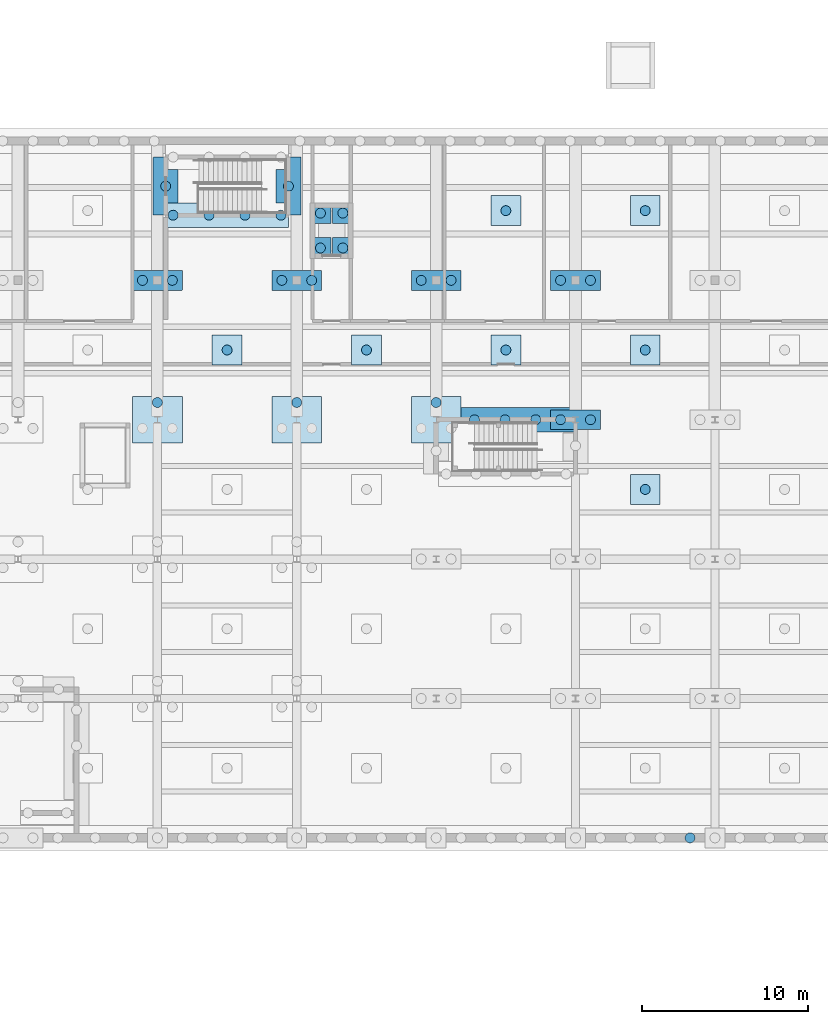
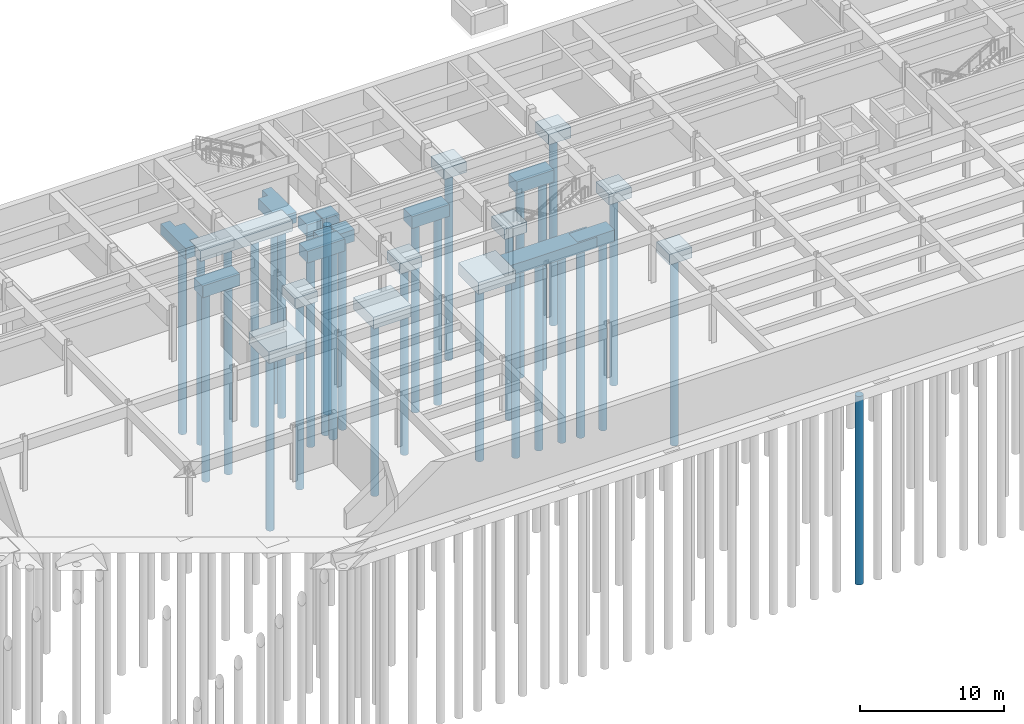
# One storey, part 5 of 33: 34 piles, 23 footings.
"""IFC4 building model written with IfcOpenShell, lengths in metres."""

from ifc_helpers import new_model, si_unit, direction, frame, origin, origin_2d, place, context, subcontext, project, spatial, polyline, circle, outline, extrude, material, layer, layer_set, material_profile, profile_set, type_object, element, save


model = new_model("IFC4")

# Units and contexts
model_context = context("Model", 3, precision=1e-05, world=origin(), true_north=direction((0.0, 1.0)))
body_context = subcontext(model_context, "Body", "Model", "MODEL_VIEW")
ifc_project = project(units=[si_unit("LENGTHUNIT", "METRE"), si_unit("AREAUNIT", "SQUARE_METRE"), si_unit("VOLUMEUNIT", "CUBIC_METRE"), si_unit("PLANEANGLEUNIT", "RADIAN"), si_unit("MASSUNIT", "GRAM", prefix="KILO")], contexts=[model_context])

# Site, building, storey
site_placement = place(None, origin())
site = spatial("IfcSite", under=ifc_project, at=site_placement, CompositionType="ELEMENT")
building_placement = place(site_placement, origin())
building = spatial("IfcBuilding", under=site, at=building_placement, Name="Ljudholm Concert House", CompositionType="ELEMENT")
storey_placement = place(building_placement, frame((0.0, 0.0, -4.60009765625)))
storey = spatial("IfcBuildingStorey", under=building, at=storey_placement, Name="B1", CompositionType="ELEMENT", Elevation=-4.60009765625)

# Piles
ifc_material_1 = material(Name="Concrete 5,000 psi", Category="concrete")
ifc_material_profile = material_profile(ifc_material_1, circle(Radius=0.300048828125, at=origin_2d()), Name="AUGER-CAST PILE D600")
ifc_profile_set = profile_set([ifc_material_profile], Name="Concrete 5,000 psi")
pile_type = type_object("IfcPileType", Name="AUGER-CAST PILE D600", PredefinedType="BORED", material=ifc_profile_set)
for number, where, z_axis, x_axis, name in (
    (1, (37.60009765625, 131.039306640625, -1.89990234375), (0.0, 0.0, -1.0), (1.0, 0.0, 0.0), "Pile D600"),
    (2, (36.699951171875, 138.39990234375, -1.89990234375), (0.0, 0.0, -1.0), (1.0, 0.0, 0.0), "Pile D600"),
    (3, (38.5, 138.39990234375, -1.89990234375), (0.0, 0.0, -1.0), (1.0, 0.0, 0.0), "Pile D600"),
    (4, (46.0, 131.039306640625, -1.89990234375), (0.0, 0.0, -1.0), (1.0, 0.0, 0.0), "Pile D600"),
    (5, (45.10009765625, 138.39990234375, -1.89990234375), (0.0, 0.0, -1.0), (1.0, 0.0, 0.0), "Pile D600"),
    (6, (46.89990234375, 138.39990234375, -1.89990234375), (0.0, 0.0, -1.0), (1.0, 0.0, 0.0), "Pile D600"),
    (7, (54.39990234375, 131.039306640625, -1.89990234375), (0.0, 0.0, -1.0), (1.0, 0.0, 0.0), "Pile D600"),
    (8, (53.5, 138.39990234375, -1.89990234375), (0.0, 0.0, -1.0), (1.0, 0.0, 0.0), "Pile D600"),
    (9, (55.300048828125, 138.39990234375, -1.89990234375), (0.0, 0.0, -1.0), (1.0, 0.0, 0.0), "Pile D600"),
    (10, (61.89990234375, 130.0, -1.89990234375), (0.0, 0.0, -1.0), (1.0, 0.0, 0.0), "Pile D600"),
    (11, (63.699951171875, 130.0, -1.89990234375), (0.0, 0.0, -1.0), (1.0, 0.0, 0.0), "Pile D600"),
    (12, (61.89990234375, 138.39990234375, -1.89990234375), (0.0, 0.0, -1.0), (1.0, 0.0, 0.0), "Pile D600"),
    (13, (63.699951171875, 138.39990234375, -1.89990234375), (0.0, 0.0, -1.0), (1.0, 0.0, 0.0), "Pile D600"),
    (14, (47.425048828125, 140.35009765625, -2.89990234375), (0.0, 0.0, -1.0), (1.0, 0.0, 0.0), "Pile D600"),
    (15, (48.77490234375, 140.35009765625, -2.89990234375), (0.0, 0.0, -1.0), (1.0, 0.0, 0.0), "Pile D600"),
    (16, (47.425048828125, 142.449951171875, -2.89990234375), (0.0, 0.0, -1.0), (1.0, 0.0, 0.0), "Pile D600"),
    (17, (48.77490234375, 142.449951171875, -2.89990234375), (0.0, 0.0, -1.0), (1.0, 0.0, 0.0), "Pile D600"),
    (18, (56.706787109375, 130.0, -1.7998046875), (0.0, 0.0, -1.0), (1.0, 0.0, 0.0), "Pile D600"),
    (19, (58.553466796875, 130.0, -1.7998046875), (0.0, 0.0, -1.0), (1.0, 0.0, 0.0), "Pile D600"),
    (20, (60.39990234375, 130.0, -1.7998046875), (0.0, 0.0, -1.0), (1.0, 0.0, 0.0), "Pile D600"),
    (21, (38.550048828125, 142.324951171875, -1.7998046875), (0.0, 0.0, -1.0), (1.0, 0.0, 0.0), "Pile D600"),
    (22, (40.715087890625, 142.324951171875, -1.7998046875), (0.0, 0.0, -1.0), (1.0, 0.0, 0.0), "Pile D600"),
    (23, (42.8798828125, 142.324951171875, -1.7998046875), (0.0, 0.0, -1.0), (1.0, 0.0, 0.0), "Pile D600"),
    (24, (45.044921875, 142.324951171875, -1.7998046875), (0.0, 0.0, -1.0), (1.0, 0.0, 0.0), "Pile D600"),
    (25, (69.699951171875, 104.800048828125, -1.7998046875), (0.0, 0.0, -1.0), (1.0, 0.0, 0.0), "Pile D600"),
    (26, (45.4951171875, 144.074951171875, -1.7998046875), (0.0, 0.0, -1.0), (1.0, 0.0, 0.0), "Pile D600"),
    (27, (38.10009765625, 144.074951171875, -1.7998046875), (0.0, 0.0, -1.0), (1.0, 0.0, 0.0), "Pile D600"),
    (28, (67.0, 125.800048828125, -1.7998046875), (0.0, 0.0, -1.0), (1.0, 0.0, 0.0), "Pile D600"),
    (29, (41.800048828125, 134.199951171875, -1.7998046875), (0.0, 0.0, -1.0), (1.0, 0.0, 0.0), "Pile D600"),
    (30, (50.199951171875, 134.199951171875, -1.7998046875), (0.0, 0.0, -1.0), (1.0, 0.0, 0.0), "Pile D600"),
    (31, (58.60009765625, 134.199951171875, -1.7998046875), (0.0, 0.0, -1.0), (1.0, 0.0, 0.0), "Pile D600"),
    (32, (67.0, 134.199951171875, -1.7998046875), (0.0, 0.0, -1.0), (1.0, 0.0, 0.0), "Pile D600"),
    (33, (58.60009765625, 142.60009765625, -1.7998046875), (0.0, 0.0, -1.0), (1.0, 0.0, 0.0), "Pile D600"),
    (34, (67.0, 142.60009765625, -1.7998046875), (0.0, 0.0, -1.0), (1.0, 0.0, 0.0), "Pile D600"),
):
    element("IfcPile", number, at=place(storey_placement, frame(where, z_axis=z_axis, x_axis=x_axis)), inside=storey, type_object=pile_type, Name=name, PredefinedType="BORED", context=body_context, shape_type="SweptSolid", body=[
        extrude(circle(Radius=0.300048828125, at=origin_2d()), origin(), (0.0, 0.0, 1.0), 16.0),
    ])

# Footings
ifc_material_2 = material(Name="Concrete 5,000 psi", Category="concrete")
ifc_layer_1 = layer(ifc_material_2, 1.0)
ifc_layer_set_1 = layer_set([ifc_layer_1], Name="Concrete 5,000 psi")
footing_type_1 = type_object("IfcFootingType", Name="RC PILE CAP 1250x1250x1000", PredefinedType="PILE_CAP", material=ifc_layer_set_1)
footing_1_placement = place(storey_placement, frame((0.0, 0.0, -2.89990234375)))
element("IfcFooting", 35, at=footing_1_placement, inside=storey, type_object=footing_type_1, Name="Pile cap", PredefinedType="PILE_CAP", context=body_context, shape_type="SweptSolid", body=[
    extrude(outline(polyline([(46.81005859375, 139.72509765625), (48.0400390625, 139.72509765625), (48.0439453125, 139.725830078125), (48.047119140625, 139.72802734375), (48.04931640625, 139.731201171875), (48.050048828125, 139.735107421875), (48.050048828125, 140.965087890625), (48.04931640625, 140.96875), (48.047119140625, 140.97216796875), (48.0439453125, 140.97412109375), (48.0400390625, 140.97509765625), (46.81005859375, 140.97509765625), (46.80615234375, 140.97412109375), (46.802978515625, 140.97216796875), (46.80078125, 140.96875), (46.800048828125, 140.965087890625), (46.800048828125, 139.735107421875), (46.80078125, 139.731201171875), (46.802978515625, 139.72802734375), (46.80615234375, 139.725830078125), (46.81005859375, 139.72509765625)])), origin(), (0.0, 0.0, 1.0), 1.0),
])
footing_2_placement = place(storey_placement, frame((0.0, 0.0, -2.89990234375)))
element("IfcFooting", 36, at=footing_2_placement, inside=storey, type_object=footing_type_1, Name="Pile cap", PredefinedType="PILE_CAP", context=body_context, shape_type="SweptSolid", body=[
    extrude(outline(polyline([(48.159912109375, 139.72509765625), (49.389892578125, 139.72509765625), (49.393798828125, 139.725830078125), (49.39697265625, 139.72802734375), (49.399169921875, 139.731201171875), (49.39990234375, 139.735107421875), (49.39990234375, 140.965087890625), (49.399169921875, 140.96875), (49.39697265625, 140.97216796875), (49.393798828125, 140.97412109375), (49.389892578125, 140.97509765625), (48.159912109375, 140.97509765625), (48.15625, 140.97412109375), (48.15283203125, 140.97216796875), (48.15087890625, 140.96875), (48.14990234375, 140.965087890625), (48.14990234375, 139.735107421875), (48.15087890625, 139.731201171875), (48.15283203125, 139.72802734375), (48.15625, 139.725830078125), (48.159912109375, 139.72509765625)])), origin(), (0.0, 0.0, 1.0), 1.0),
])
footing_3_placement = place(storey_placement, frame((0.0, 0.0, -2.89990234375)))
element("IfcFooting", 37, at=footing_3_placement, inside=storey, type_object=footing_type_1, Name="Pile cap", PredefinedType="PILE_CAP", context=body_context, shape_type="SweptSolid", body=[
    extrude(outline(polyline([(46.81005859375, 141.824951171875), (48.0400390625, 141.824951171875), (48.0439453125, 141.82568359375), (48.047119140625, 141.827880859375), (48.04931640625, 141.8310546875), (48.050048828125, 141.8349609375), (48.050048828125, 143.06494140625), (48.04931640625, 143.06884765625), (48.047119140625, 143.072021484375), (48.0439453125, 143.07421875), (48.0400390625, 143.074951171875), (46.81005859375, 143.074951171875), (46.80615234375, 143.07421875), (46.802978515625, 143.072021484375), (46.80078125, 143.06884765625), (46.800048828125, 143.06494140625), (46.800048828125, 141.8349609375), (46.80078125, 141.8310546875), (46.802978515625, 141.827880859375), (46.80615234375, 141.82568359375), (46.81005859375, 141.824951171875)])), origin(), (0.0, 0.0, 1.0), 1.0),
])
footing_4_placement = place(storey_placement, frame((0.0, 0.0, -2.89990234375)))
element("IfcFooting", 38, at=footing_4_placement, inside=storey, type_object=footing_type_1, Name="Pile cap", PredefinedType="PILE_CAP", context=body_context, shape_type="SweptSolid", body=[
    extrude(outline(polyline([(48.159912109375, 141.824951171875), (49.389892578125, 141.824951171875), (49.393798828125, 141.82568359375), (49.39697265625, 141.827880859375), (49.399169921875, 141.8310546875), (49.39990234375, 141.8349609375), (49.39990234375, 143.06494140625), (49.399169921875, 143.06884765625), (49.39697265625, 143.072021484375), (49.393798828125, 143.07421875), (49.389892578125, 143.074951171875), (48.159912109375, 143.074951171875), (48.15625, 143.07421875), (48.15283203125, 143.072021484375), (48.15087890625, 143.06884765625), (48.14990234375, 143.06494140625), (48.14990234375, 141.8349609375), (48.15087890625, 141.8310546875), (48.15283203125, 141.827880859375), (48.15625, 141.82568359375), (48.159912109375, 141.824951171875)])), origin(), (0.0, 0.0, 1.0), 1.0),
])
ifc_material_3 = material(Name="Concrete 5,000 psi", Category="concrete")
ifc_layer_2 = layer(ifc_material_3, 0.89990234375)
ifc_layer_set_2 = layer_set([ifc_layer_2], Name="Concrete 5,000 psi")
footing_type_2 = type_object("IfcFootingType", Name="RC PILE CAP 1800x1800x900", PredefinedType="PILE_CAP", material=ifc_layer_set_2)
footing_5_placement = place(storey_placement, frame((0.0, 0.0, -1.7998046875)))
element("IfcFooting", 39, at=footing_5_placement, inside=storey, type_object=footing_type_2, Name="Uplift pile cap", PredefinedType="PILE_CAP", context=body_context, shape_type="SweptSolid", body=[
    extrude(outline(polyline([(66.10009765625, 126.68994140625), (66.10009765625, 124.909912109375), (66.100830078125, 124.90625), (66.10302734375, 124.90283203125), (66.106201171875, 124.90087890625), (66.110107421875, 124.89990234375), (67.889892578125, 124.89990234375), (67.893798828125, 124.90087890625), (67.89697265625, 124.90283203125), (67.899169921875, 124.90625), (67.89990234375, 124.909912109375), (67.89990234375, 126.68994140625), (67.899169921875, 126.69384765625), (67.89697265625, 126.697021484375), (67.893798828125, 126.69921875), (67.889892578125, 126.699951171875), (66.110107421875, 126.699951171875), (66.106201171875, 126.69921875), (66.10302734375, 126.697021484375), (66.100830078125, 126.69384765625), (66.10009765625, 126.68994140625)])), origin(), (0.0, 0.0, 1.0), 0.89990234375),
])
footing_6_placement = place(storey_placement, frame((0.0, 0.0, -1.7998046875)))
element("IfcFooting", 40, at=footing_6_placement, inside=storey, type_object=footing_type_2, Name="Uplift pile cap", PredefinedType="PILE_CAP", context=body_context, shape_type="SweptSolid", body=[
    extrude(outline(polyline([(40.909912109375, 133.300048828125), (42.68994140625, 133.300048828125), (42.69384765625, 133.30078125), (42.697021484375, 133.302978515625), (42.69921875, 133.30615234375), (42.699951171875, 133.31005859375), (42.699951171875, 135.090087890625), (42.69921875, 135.09375), (42.697021484375, 135.09716796875), (42.69384765625, 135.09912109375), (42.68994140625, 135.10009765625), (40.909912109375, 135.10009765625), (40.90625, 135.09912109375), (40.90283203125, 135.09716796875), (40.90087890625, 135.09375), (40.89990234375, 135.090087890625), (40.89990234375, 133.31005859375), (40.90087890625, 133.30615234375), (40.90283203125, 133.302978515625), (40.90625, 133.30078125), (40.909912109375, 133.300048828125)])), origin(), (0.0, 0.0, 1.0), 0.89990234375),
])
footing_7_placement = place(storey_placement, frame((0.0, 0.0, -1.7998046875)))
element("IfcFooting", 41, at=footing_7_placement, inside=storey, type_object=footing_type_2, Name="Uplift pile cap", PredefinedType="PILE_CAP", context=body_context, shape_type="SweptSolid", body=[
    extrude(outline(polyline([(49.31005859375, 133.300048828125), (51.090087890625, 133.300048828125), (51.09375, 133.30078125), (51.09716796875, 133.302978515625), (51.09912109375, 133.30615234375), (51.10009765625, 133.31005859375), (51.10009765625, 135.090087890625), (51.09912109375, 135.09375), (51.09716796875, 135.09716796875), (51.09375, 135.09912109375), (51.090087890625, 135.10009765625), (49.31005859375, 135.10009765625), (49.30615234375, 135.09912109375), (49.302978515625, 135.09716796875), (49.30078125, 135.09375), (49.300048828125, 135.090087890625), (49.300048828125, 133.31005859375), (49.30078125, 133.30615234375), (49.302978515625, 133.302978515625), (49.30615234375, 133.30078125), (49.31005859375, 133.300048828125)])), origin(), (0.0, 0.0, 1.0), 0.89990234375),
])
footing_8_placement = place(storey_placement, frame((0.0, 0.0, -1.7998046875)))
element("IfcFooting", 42, at=footing_8_placement, inside=storey, type_object=footing_type_2, Name="Uplift pile cap", PredefinedType="PILE_CAP", context=body_context, shape_type="SweptSolid", body=[
    extrude(outline(polyline([(57.7099609375, 133.300048828125), (59.489990234375, 133.300048828125), (59.493896484375, 133.30078125), (59.4970703125, 133.302978515625), (59.499267578125, 133.30615234375), (59.5, 133.31005859375), (59.5, 135.090087890625), (59.499267578125, 135.09375), (59.4970703125, 135.09716796875), (59.493896484375, 135.09912109375), (59.489990234375, 135.10009765625), (57.7099609375, 135.10009765625), (57.7060546875, 135.09912109375), (57.702880859375, 135.09716796875), (57.70068359375, 135.09375), (57.699951171875, 135.090087890625), (57.699951171875, 133.31005859375), (57.70068359375, 133.30615234375), (57.702880859375, 133.302978515625), (57.7060546875, 133.30078125), (57.7099609375, 133.300048828125)])), origin(), (0.0, 0.0, 1.0), 0.89990234375),
])
footing_9_placement = place(storey_placement, frame((0.0, 0.0, -1.7998046875)))
element("IfcFooting", 43, at=footing_9_placement, inside=storey, type_object=footing_type_2, Name="Uplift pile cap", PredefinedType="PILE_CAP", context=body_context, shape_type="SweptSolid", body=[
    extrude(outline(polyline([(66.110107421875, 133.300048828125), (67.889892578125, 133.300048828125), (67.893798828125, 133.30078125), (67.89697265625, 133.302978515625), (67.899169921875, 133.30615234375), (67.89990234375, 133.31005859375), (67.89990234375, 135.090087890625), (67.899169921875, 135.09375), (67.89697265625, 135.09716796875), (67.893798828125, 135.09912109375), (67.889892578125, 135.10009765625), (66.110107421875, 135.10009765625), (66.106201171875, 135.09912109375), (66.10302734375, 135.09716796875), (66.100830078125, 135.09375), (66.10009765625, 135.090087890625), (66.10009765625, 133.31005859375), (66.100830078125, 133.30615234375), (66.10302734375, 133.302978515625), (66.106201171875, 133.30078125), (66.110107421875, 133.300048828125)])), origin(), (0.0, 0.0, 1.0), 0.89990234375),
])
footing_10_placement = place(storey_placement, frame((0.0, 0.0, -1.7998046875)))
element("IfcFooting", 44, at=footing_10_placement, inside=storey, type_object=footing_type_2, Name="Uplift pile cap", PredefinedType="PILE_CAP", context=body_context, shape_type="SweptSolid", body=[
    extrude(outline(polyline([(57.699951171875, 143.489990234375), (57.699951171875, 141.7099609375), (57.70068359375, 141.7060546875), (57.702880859375, 141.702880859375), (57.7060546875, 141.70068359375), (57.7099609375, 141.699951171875), (59.489990234375, 141.699951171875), (59.493896484375, 141.70068359375), (59.4970703125, 141.702880859375), (59.499267578125, 141.7060546875), (59.5, 141.7099609375), (59.5, 143.489990234375), (59.499267578125, 143.493896484375), (59.4970703125, 143.4970703125), (59.493896484375, 143.499267578125), (59.489990234375, 143.5), (57.7099609375, 143.5), (57.7060546875, 143.499267578125), (57.702880859375, 143.4970703125), (57.70068359375, 143.493896484375), (57.699951171875, 143.489990234375)])), origin(), (0.0, 0.0, 1.0), 0.89990234375),
])
footing_11_placement = place(storey_placement, frame((0.0, 0.0, -1.7998046875)))
element("IfcFooting", 45, at=footing_11_placement, inside=storey, type_object=footing_type_2, Name="Uplift pile cap", PredefinedType="PILE_CAP", context=body_context, shape_type="SweptSolid", body=[
    extrude(outline(polyline([(66.10009765625, 143.489990234375), (66.10009765625, 141.7099609375), (66.100830078125, 141.7060546875), (66.10302734375, 141.702880859375), (66.106201171875, 141.70068359375), (66.110107421875, 141.699951171875), (67.889892578125, 141.699951171875), (67.893798828125, 141.70068359375), (67.89697265625, 141.702880859375), (67.899169921875, 141.7060546875), (67.89990234375, 141.7099609375), (67.89990234375, 143.489990234375), (67.899169921875, 143.493896484375), (67.89697265625, 143.4970703125), (67.893798828125, 143.499267578125), (67.889892578125, 143.5), (66.110107421875, 143.5), (66.106201171875, 143.499267578125), (66.10302734375, 143.4970703125), (66.100830078125, 143.493896484375), (66.10009765625, 143.489990234375)])), origin(), (0.0, 0.0, 1.0), 0.89990234375),
])
ifc_material_4 = material(Name="Concrete 5,000 psi", Category="concrete")
ifc_layer_3 = layer(ifc_material_4, 1.0)
ifc_layer_set_3 = layer_set([ifc_layer_3], Name="Concrete 5,000 psi")
footing_type_3 = type_object("IfcFootingType", Name="RC PILE CAP 3000x1200x1000", PredefinedType="PILE_CAP", material=ifc_layer_set_3)
footing_12_placement = place(storey_placement, frame((0.0, 0.0, -1.89990234375)))
element("IfcFooting", 46, at=footing_12_placement, inside=storey, type_object=footing_type_3, Name="Pile cap", PredefinedType="PILE_CAP", context=body_context, shape_type="SweptSolid", body=[
    extrude(outline(polyline([(36.10009765625, 138.989990234375), (36.10009765625, 137.81005859375), (36.101806640625, 137.804443359375), (36.106201171875, 137.80078125), (36.110107421875, 137.800048828125), (39.090087890625, 137.800048828125), (39.095458984375, 137.8017578125), (39.09912109375, 137.80615234375), (39.10009765625, 137.81005859375), (39.10009765625, 138.989990234375), (39.098388671875, 138.99560546875), (39.09375, 138.999267578125), (39.090087890625, 139.0), (36.110107421875, 139.0), (36.106201171875, 138.999267578125), (36.10302734375, 138.9970703125), (36.100830078125, 138.993896484375), (36.10009765625, 138.989990234375)])), origin(), (0.0, 0.0, 1.0), 1.0),
])
footing_13_placement = place(storey_placement, frame((0.0, 0.0, -1.89990234375)))
element("IfcFooting", 47, at=footing_13_placement, inside=storey, type_object=footing_type_3, Name="Pile cap", PredefinedType="PILE_CAP", context=body_context, shape_type="SweptSolid", body=[
    extrude(outline(polyline([(44.5, 138.989990234375), (44.5, 137.81005859375), (44.501708984375, 137.804443359375), (44.506103515625, 137.80078125), (44.510009765625, 137.800048828125), (47.489990234375, 137.800048828125), (47.49560546875, 137.8017578125), (47.499267578125, 137.80615234375), (47.5, 137.81005859375), (47.5, 138.989990234375), (47.498291015625, 138.99560546875), (47.493896484375, 138.999267578125), (47.489990234375, 139.0), (44.510009765625, 139.0), (44.506103515625, 138.999267578125), (44.5029296875, 138.9970703125), (44.500732421875, 138.993896484375), (44.5, 138.989990234375)])), origin(), (0.0, 0.0, 1.0), 1.0),
])
footing_14_placement = place(storey_placement, frame((0.0, 0.0, -1.89990234375)))
element("IfcFooting", 48, at=footing_14_placement, inside=storey, type_object=footing_type_3, Name="Pile cap", PredefinedType="PILE_CAP", context=body_context, shape_type="SweptSolid", body=[
    extrude(outline(polyline([(52.89990234375, 138.989990234375), (52.89990234375, 137.81005859375), (52.901611328125, 137.804443359375), (52.90625, 137.80078125), (52.909912109375, 137.800048828125), (55.889892578125, 137.800048828125), (55.8955078125, 137.8017578125), (55.899169921875, 137.80615234375), (55.89990234375, 137.81005859375), (55.89990234375, 138.989990234375), (55.898193359375, 138.99560546875), (55.893798828125, 138.999267578125), (55.889892578125, 139.0), (52.909912109375, 139.0), (52.90625, 138.999267578125), (52.90283203125, 138.9970703125), (52.90087890625, 138.993896484375), (52.89990234375, 138.989990234375)])), origin(), (0.0, 0.0, 1.0), 1.0),
])
footing_15_placement = place(storey_placement, frame((0.0, 0.0, -1.89990234375)))
element("IfcFooting", 49, at=footing_15_placement, inside=storey, type_object=footing_type_3, Name="Pile cap", PredefinedType="PILE_CAP", context=body_context, shape_type="SweptSolid", body=[
    extrude(outline(polyline([(61.31005859375, 129.39990234375), (64.2900390625, 129.39990234375), (64.2939453125, 129.40087890625), (64.29833984375, 129.404541015625), (64.300048828125, 129.409912109375), (64.300048828125, 130.590087890625), (64.29931640625, 130.59375), (64.295654296875, 130.598388671875), (64.2900390625, 130.60009765625), (61.31005859375, 130.60009765625), (61.30615234375, 130.59912109375), (61.3017578125, 130.595458984375), (61.300048828125, 130.590087890625), (61.300048828125, 129.409912109375), (61.30078125, 129.40625), (61.302978515625, 129.40283203125), (61.30615234375, 129.40087890625), (61.31005859375, 129.39990234375)])), origin(), (0.0, 0.0, 1.0), 1.0),
])
footing_16_placement = place(storey_placement, frame((0.0, 0.0, -1.89990234375)))
element("IfcFooting", 50, at=footing_16_placement, inside=storey, type_object=footing_type_3, Name="Pile cap", PredefinedType="PILE_CAP", context=body_context, shape_type="SweptSolid", body=[
    extrude(outline(polyline([(61.300048828125, 138.989990234375), (61.300048828125, 137.81005859375), (61.3017578125, 137.804443359375), (61.30615234375, 137.80078125), (61.31005859375, 137.800048828125), (64.2900390625, 137.800048828125), (64.295654296875, 137.8017578125), (64.29931640625, 137.80615234375), (64.300048828125, 137.81005859375), (64.300048828125, 138.989990234375), (64.29833984375, 138.99560546875), (64.2939453125, 138.999267578125), (64.2900390625, 139.0), (61.31005859375, 139.0), (61.30615234375, 138.999267578125), (61.302978515625, 138.9970703125), (61.30078125, 138.993896484375), (61.300048828125, 138.989990234375)])), origin(), (0.0, 0.0, 1.0), 1.0),
])
ifc_material_5 = material(Name="Concrete 5,000 psi", Category="concrete")
ifc_layer_4 = layer(ifc_material_5, 1.0)
ifc_layer_set_4 = layer_set([ifc_layer_4], Name="Concrete 5,000 psi")
footing_type_4 = type_object("IfcFootingType", Name="RC PILE CAP 3000x2800x1000", PredefinedType="PILE_CAP", material=ifc_layer_set_4)
footing_17_placement = place(storey_placement, frame((0.0, 0.0, -1.89990234375)))
element("IfcFooting", 51, at=footing_17_placement, inside=storey, type_object=footing_type_4, Name="Pile cap", PredefinedType="PILE_CAP", context=body_context, shape_type="SweptSolid", body=[
    extrude(outline(polyline([(36.110107421875, 128.60009765625), (39.090087890625, 128.60009765625), (39.09375, 128.600830078125), (39.09716796875, 128.60302734375), (39.09912109375, 128.606201171875), (39.10009765625, 128.610107421875), (39.10009765625, 131.389892578125), (39.09912109375, 131.393798828125), (39.09716796875, 131.39697265625), (39.09375, 131.399169921875), (39.090087890625, 131.39990234375), (36.110107421875, 131.39990234375), (36.106201171875, 131.399169921875), (36.10302734375, 131.39697265625), (36.100830078125, 131.393798828125), (36.10009765625, 131.389892578125), (36.10009765625, 128.610107421875), (36.100830078125, 128.606201171875), (36.10302734375, 128.60302734375), (36.106201171875, 128.600830078125), (36.110107421875, 128.60009765625)])), origin(), (0.0, 0.0, 1.0), 1.0),
])
footing_18_placement = place(storey_placement, frame((0.0, 0.0, -1.89990234375)))
element("IfcFooting", 52, at=footing_18_placement, inside=storey, type_object=footing_type_4, Name="Pile cap", PredefinedType="PILE_CAP", context=body_context, shape_type="SweptSolid", body=[
    extrude(outline(polyline([(44.510009765625, 128.60009765625), (47.489990234375, 128.60009765625), (47.493896484375, 128.600830078125), (47.4970703125, 128.60302734375), (47.499267578125, 128.606201171875), (47.5, 128.610107421875), (47.5, 131.389892578125), (47.499267578125, 131.393798828125), (47.4970703125, 131.39697265625), (47.493896484375, 131.399169921875), (47.489990234375, 131.39990234375), (44.510009765625, 131.39990234375), (44.506103515625, 131.399169921875), (44.5029296875, 131.39697265625), (44.500732421875, 131.393798828125), (44.5, 131.389892578125), (44.5, 128.610107421875), (44.500732421875, 128.606201171875), (44.5029296875, 128.60302734375), (44.506103515625, 128.600830078125), (44.510009765625, 128.60009765625)])), origin(), (0.0, 0.0, 1.0), 1.0),
])
footing_19_placement = place(storey_placement, frame((0.0, 0.0, -1.89990234375)))
element("IfcFooting", 53, at=footing_19_placement, inside=storey, type_object=footing_type_4, Name="Pile cap", PredefinedType="PILE_CAP", context=body_context, shape_type="SweptSolid", body=[
    extrude(outline(polyline([(52.909912109375, 128.60009765625), (55.889892578125, 128.60009765625), (55.893798828125, 128.600830078125), (55.89697265625, 128.60302734375), (55.899169921875, 128.606201171875), (55.89990234375, 128.610107421875), (55.89990234375, 131.389892578125), (55.899169921875, 131.393798828125), (55.89697265625, 131.39697265625), (55.893798828125, 131.399169921875), (55.889892578125, 131.39990234375), (52.909912109375, 131.39990234375), (52.90625, 131.399169921875), (52.90283203125, 131.39697265625), (52.90087890625, 131.393798828125), (52.89990234375, 131.389892578125), (52.89990234375, 128.610107421875), (52.90087890625, 128.606201171875), (52.90283203125, 128.60302734375), (52.90625, 128.600830078125), (52.909912109375, 128.60009765625)])), origin(), (0.0, 0.0, 1.0), 1.0),
])
ifc_material_6 = material(Name="Concrete 5,000 psi", Category="concrete")
ifc_layer_5 = layer(ifc_material_6, 0.89990234375)
ifc_layer_set_5 = layer_set([ifc_layer_5], Name="Concrete 5,000 psi")
footing_type_5 = type_object("IfcFootingType", Name="RC STRIP FOOTING 1500x900", PredefinedType="STRIP_FOOTING", material=ifc_layer_set_5)
footing_20_placement = place(storey_placement, frame((0.0, 0.0, -1.7998046875)))
element("IfcFooting", 54, at=footing_20_placement, inside=storey, type_object=footing_type_5, Name="Strip footing", PredefinedType="STRIP_FOOTING", context=body_context, shape_type="SweptSolid", body=[
    extrude(outline(polyline([(55.909912109375, 129.25), (62.78369140625, 129.250244140625), (62.78662109375, 129.251220703125), (62.78955078125, 129.253662109375), (62.791748046875, 129.259033203125), (62.791748046875, 129.389892578125), (62.791259765625, 129.392822265625), (62.78955078125, 129.396240234375), (62.78662109375, 129.39892578125), (62.78271484375, 129.39990234375), (61.310302734375, 129.39990234375), (61.30712890625, 129.400390625), (61.3037109375, 129.40234375), (61.30078125, 129.40625), (61.300048828125, 129.41015625), (61.300048828125, 130.58984375), (61.30078125, 130.59375), (61.302978515625, 130.59716796875), (61.30615234375, 130.59912109375), (61.310302734375, 130.60009765625), (62.78271484375, 130.60009765625), (62.78662109375, 130.60107421875), (62.788818359375, 130.60302734375), (62.791015625, 130.606201171875), (62.791748046875, 130.609130859375), (62.79150390625, 130.741943359375), (62.79052734375, 130.74462890625), (62.7880859375, 130.747802734375), (62.78466796875, 130.74951171875), (62.78173828125, 130.75), (55.907958984375, 130.749755859375), (55.9052734375, 130.748779296875), (55.90234375, 130.746337890625), (55.900390625, 130.742919921875), (55.89990234375, 130.739990234375), (55.89990234375, 129.260009765625), (55.90087890625, 129.256103515625), (55.90283203125, 129.2529296875), (55.90625, 129.250732421875), (55.909912109375, 129.25)])), origin(), (0.0, 0.0, 1.0), 0.89990234375),
])
footing_21_placement = place(storey_placement, frame((0.0, 0.0, -1.7998046875)))
element("IfcFooting", 55, at=footing_21_placement, inside=storey, type_object=footing_type_5, Name="Strip footing", PredefinedType="STRIP_FOOTING", context=body_context, shape_type="SweptSolid", body=[
    extrude(outline(polyline([(38.110107421875, 141.574951171875), (45.487060546875, 141.5751953125), (45.48974609375, 141.576171875), (45.49267578125, 141.57861328125), (45.49462890625, 141.58203125), (45.4951171875, 141.5849609375), (45.494873046875, 143.06689453125), (45.493896484375, 143.06982421875), (45.491455078125, 143.07275390625), (45.48779296875, 143.074462890625), (45.485107421875, 143.074951171875), (38.108154296875, 143.07470703125), (38.105224609375, 143.07373046875), (38.102294921875, 143.0712890625), (38.100341796875, 143.06787109375), (38.10009765625, 143.06494140625), (38.10009765625, 141.5849609375), (38.100830078125, 141.5810546875), (38.10302734375, 141.577880859375), (38.106201171875, 141.57568359375), (38.110107421875, 141.574951171875)])), origin(), (0.0, 0.0, 1.0), 0.89990234375),
])
footing_22_placement = place(storey_placement, frame((0.0, 0.0, -1.7998046875)))
element("IfcFooting", 56, at=footing_22_placement, inside=storey, type_object=footing_type_5, Name="Strip footing", PredefinedType="STRIP_FOOTING", context=body_context, shape_type="SweptSolid", body=[
    extrude(outline(polyline([(44.7548828125, 143.074951171875), (45.48486328125, 143.074951171875), (45.48876953125, 143.07421875), (45.491943359375, 143.072021484375), (45.494140625, 143.06884765625), (45.4951171875, 143.064697265625), (45.4951171875, 142.3349609375), (45.49658203125, 142.329345703125), (45.500244140625, 142.326171875), (45.5048828125, 142.324951171875), (46.235107421875, 142.324951171875), (46.23974609375, 142.326171875), (46.243896484375, 142.330322265625), (46.2451171875, 142.3349609375), (46.2451171875, 145.81494140625), (46.243408203125, 145.820556640625), (46.23974609375, 145.82373046875), (46.235107421875, 145.824951171875), (45.5048828125, 145.824951171875), (45.500244140625, 145.82373046875), (45.49658203125, 145.820556640625), (45.4951171875, 145.81494140625), (45.4951171875, 145.085205078125), (45.494140625, 145.081298828125), (45.491943359375, 145.077880859375), (45.48876953125, 145.07568359375), (45.48486328125, 145.074951171875), (44.7548828125, 145.074951171875), (44.750244140625, 145.07373046875), (44.74609375, 145.06982421875), (44.7451171875, 145.06494140625), (44.7451171875, 143.0849609375), (44.745849609375, 143.0810546875), (44.748046875, 143.077880859375), (44.751220703125, 143.07568359375), (44.7548828125, 143.074951171875)])), origin(), (0.0, 0.0, 1.0), 0.89990234375),
])
footing_23_placement = place(storey_placement, frame((0.0, 0.0, -1.7998046875)))
element("IfcFooting", 57, at=footing_23_placement, inside=storey, type_object=footing_type_5, Name="Strip footing", PredefinedType="STRIP_FOOTING", context=body_context, shape_type="SweptSolid", body=[
    extrude(outline(polyline([(37.360107421875, 142.324951171875), (38.090087890625, 142.324951171875), (38.0947265625, 142.326171875), (38.098388671875, 142.329345703125), (38.10009765625, 142.3349609375), (38.10009765625, 143.064697265625), (38.100830078125, 143.06884765625), (38.10302734375, 143.072021484375), (38.106201171875, 143.07421875), (38.1103515625, 143.074951171875), (38.840087890625, 143.074951171875), (38.843017578125, 143.075439453125), (38.846435546875, 143.0771484375), (38.848876953125, 143.080322265625), (38.849853515625, 143.0830078125), (38.849609375, 145.06787109375), (38.846435546875, 145.07275390625), (38.843017578125, 145.074462890625), (38.840087890625, 145.074951171875), (38.1103515625, 145.074951171875), (38.106201171875, 145.07568359375), (38.10302734375, 145.077880859375), (38.100830078125, 145.081298828125), (38.10009765625, 145.085205078125), (38.10009765625, 145.81494140625), (38.099609375, 145.81787109375), (38.09765625, 145.8212890625), (38.0947265625, 145.82373046875), (38.092041015625, 145.82470703125), (37.360107421875, 145.824951171875), (37.357177734375, 145.824462890625), (37.353759765625, 145.82275390625), (37.35107421875, 145.81982421875), (37.35009765625, 145.81689453125), (37.35009765625, 142.3349609375), (37.350830078125, 142.3310546875), (37.35302734375, 142.327880859375), (37.356201171875, 142.32568359375), (37.360107421875, 142.324951171875)])), origin(), (0.0, 0.0, 1.0), 0.89990234375),
])

save(model, "model.ifc")
